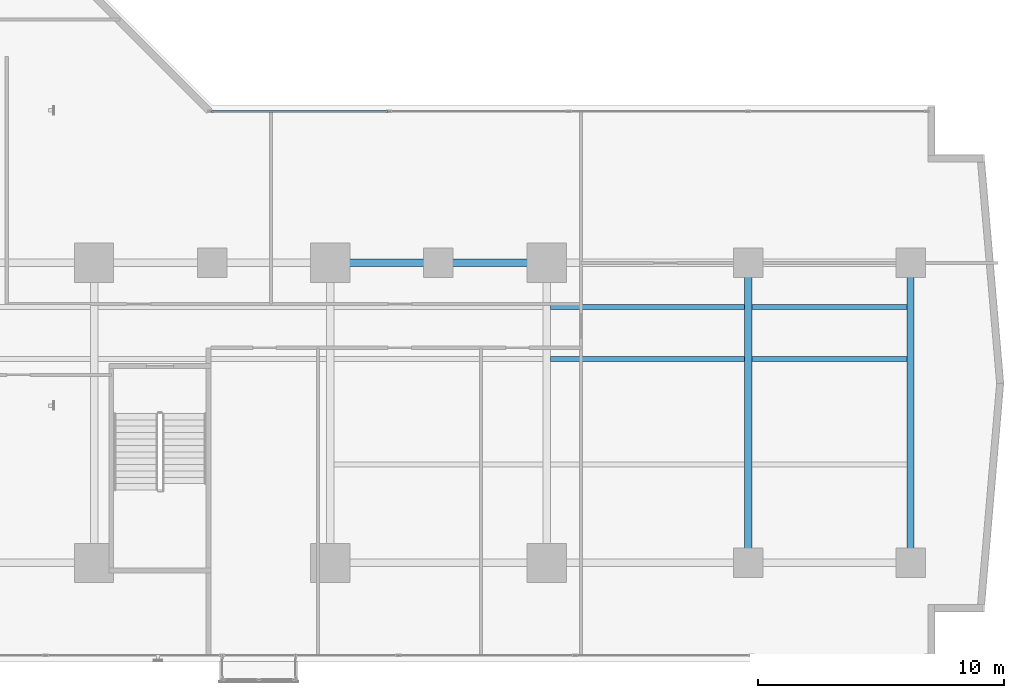
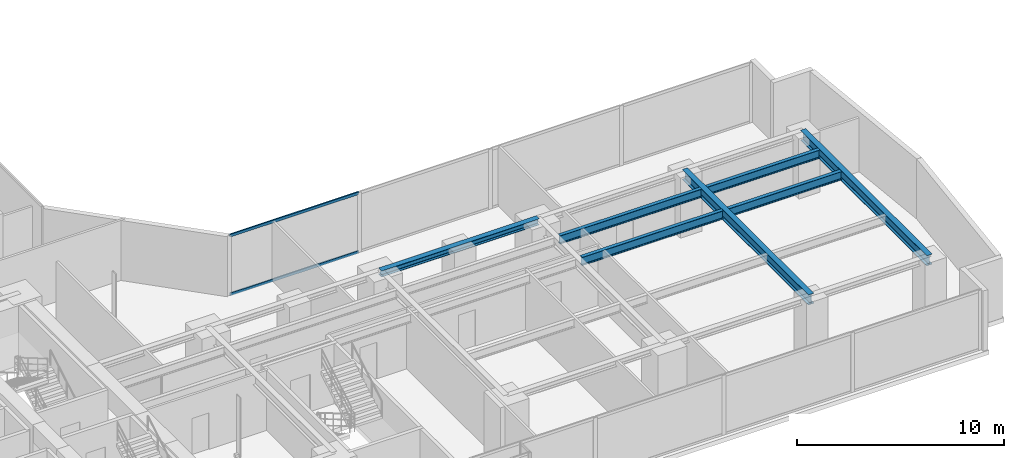
# One storey, part 12 of 31: 7 beams, 2 members, 1 element without a shape of its own.
"""IFC4 building model written with IfcOpenShell, lengths in metres."""

from ifc_helpers import new_model, si_unit, direction, frame, origin, origin_with_axes, origin_2d, place, context, subcontext, project, spatial, hollow_rectangle, i_section, extrude, source, transform, mapped, material, layer, layer_set, material_profile, profile_set, type_object, element, aggregate, save


model = new_model("IFC4")

# Units and contexts
model_context = context("Model", 3, precision=1e-05, world=origin(), true_north=direction((0.0, 1.0)))
body_context = subcontext(model_context, "Body", "Model", "MODEL_VIEW")
ifc_project = project(units=[si_unit("LENGTHUNIT", "METRE"), si_unit("AREAUNIT", "SQUARE_METRE"), si_unit("VOLUMEUNIT", "CUBIC_METRE"), si_unit("PLANEANGLEUNIT", "RADIAN"), si_unit("MASSUNIT", "GRAM", prefix="KILO")], contexts=[model_context])

# Site, building, storey
site_placement = place(None, origin())
site = spatial("IfcSite", under=ifc_project, at=site_placement, CompositionType="ELEMENT")
building_placement = place(site_placement, origin())
building = spatial("IfcBuilding", under=site, at=building_placement, Name="Kolvaren Waterfront Exchange", CompositionType="ELEMENT")
storey_placement = place(building_placement, frame((0.0, 0.0, 67.60009765625)))
storey = spatial("IfcBuildingStorey", under=building, at=storey_placement, Name="L17", CompositionType="ELEMENT", Elevation=67.60009765625)

# Beams
ifc_material_1 = material(Name="Steel S355", Category="steel")
ifc_material_profile_1 = material_profile(ifc_material_1, i_section(OverallWidth=0.300048828125, OverallDepth=0.360107421875, WebThickness=0.012451171875, FlangeThickness=0.0224609375, FilletRadius=0.027099609375, at=origin_2d()), Name="HEB360")
ifc_profile_set_1 = profile_set([ifc_material_profile_1], Name="Steel S355")
beam_type_1 = type_object("IfcBeamType", Name="STR-BM-HEB360", PredefinedType="SPANDREL", material=ifc_profile_set_1)
beam_placement = place(storey_placement, frame((36.800048828125, 17.39990234375, 3.35986328125), z_axis=(1.0, 0.0, 0.0), x_axis=(0.0, 1.0, 0.0)))
element("IfcBeam", 1, at=beam_placement, inside=storey, type_object=beam_type_1, Name="L17 east-arm spandrel N3", PredefinedType="SPANDREL", context=body_context, shape_type="SweptSolid", body=[
    extrude(i_section(OverallWidth=0.300048828125, OverallDepth=0.360107421875, WebThickness=0.012451171875, FlangeThickness=0.0224609375, FilletRadius=0.027099609375, at=origin_2d()), origin(), (0.0, 0.0, 1.0), 8.800048828125),
])
ifc_material_profile_2 = material_profile(ifc_material_1, i_section(OverallWidth=0.300048828125, OverallDepth=0.60009765625, WebThickness=0.015380859375, FlangeThickness=0.030029296875, FilletRadius=0.027099609375, at=origin_2d()), Name="HEB600")
ifc_profile_set_2 = profile_set([ifc_material_profile_2], Name="Steel S355")
beam_type_2 = type_object("IfcBeamType", Name="STR-BM-HEB600", PredefinedType="BEAM", material=ifc_profile_set_2)
for number, where, z_axis, x_axis, name in (
    (2, (53.800048828125, 5.199951171875, 3.239990234375), (0.0, 1.0, 0.0), (-1.0, 0.0, 0.0), "L17 east-arm transverse girder X53"),
    (3, (60.39990234375, 5.199951171875, 3.239990234375), (0.0, 1.0, 0.0), (-1.0, 0.0, 0.0), "L17 east-arm transverse girder X60"),
):
    element("IfcBeam", number, at=place(storey_placement, frame(where, z_axis=z_axis, x_axis=x_axis)), inside=storey, type_object=beam_type_2, Name=name, PredefinedType="BEAM", context=body_context, shape_type="SweptSolid", body=[
        extrude(i_section(OverallWidth=0.300048828125, OverallDepth=0.60009765625, WebThickness=0.015380859375, FlangeThickness=0.030029296875, FilletRadius=0.027099609375, at=origin_2d()), origin(), (0.0, 0.0, 1.0), 12.199951171875),
    ])
ifc_material_profile_3 = material_profile(ifc_material_1, i_section(OverallWidth=0.199951171875, OverallDepth=0.5, WebThickness=0.01025390625, FlangeThickness=0.01611328125, FilletRadius=0.02099609375, at=origin_2d()), Name="IPE500")
ifc_profile_set_3 = profile_set([ifc_material_profile_3], Name="Steel S355")
beam_type_3 = type_object("IfcBeamType", Name="STR-BM-IPE500", PredefinedType="JOIST", material=ifc_profile_set_3)
for number, where, z_axis, x_axis, name in (
    (4, (45.751953125, 13.5, 3.289794921875), (1.0, 0.0, 0.0), (0.0, 1.0, 0.0), "L17 east-arm composite joist 4A"),
    (5, (45.751953125, 15.60009765625, 3.289794921875), (1.0, 0.0, 0.0), (0.0, 1.0, 0.0), "L17 east-arm composite joist 4C"),
):
    element("IfcBeam", number, at=place(storey_placement, frame(where, z_axis=z_axis, x_axis=x_axis)), inside=storey, type_object=beam_type_3, Name=name, PredefinedType="JOIST", context=body_context, shape_type="SweptSolid", body=[
        extrude(i_section(OverallWidth=0.199951171875, OverallDepth=0.5, WebThickness=0.01025390625, FlangeThickness=0.01611328125, FilletRadius=0.02099609375, at=origin_2d()), origin(), (0.0, 0.0, 1.0), 7.89599609375),
    ])
for number, where, z_axis, x_axis, name in (
    (6, (53.951904296875, 13.5, 3.289794921875), (1.0, 0.0, 0.0), (0.0, 1.0, 0.0), "L17 east-arm composite joist 5A"),
    (7, (53.951904296875, 15.60009765625, 3.289794921875), (1.0, 0.0, 0.0), (0.0, 1.0, 0.0), "L17 east-arm composite joist 5C"),
):
    element("IfcBeam", number, at=place(storey_placement, frame(where, z_axis=z_axis, x_axis=x_axis)), inside=storey, type_object=beam_type_3, Name=name, PredefinedType="JOIST", context=body_context, shape_type="SweptSolid", body=[
        extrude(i_section(OverallWidth=0.199951171875, OverallDepth=0.5, WebThickness=0.01025390625, FlangeThickness=0.01611328125, FilletRadius=0.02099609375, at=origin_2d()), origin(), (0.0, 0.0, 1.0), 6.296142578125),
    ])

# Curtain wall, members
ifc_material_2 = material(Name="Anodised bronze aluminium 6063-T6", Category="aluminium")
ifc_layer = layer(ifc_material_2, 0.219970703125, Name="Anodised bronze aluminium 6063-T6")
ifc_layer_set = layer_set([ifc_layer], Name="Anodised bronze aluminium 6063-T6")
curtain_wall_type = type_object("IfcCurtainWallType", Name="ARC-CW-SYS1", PredefinedType="USERDEFINED", material=ifc_layer_set)
curtain_wall_placement = place(storey_placement, origin())
curtain_wall = element("IfcCurtainWall", 8, at=curtain_wall_placement, inside=storey, type_object=curtain_wall_type, Name="L17 stick curtain wall CW1 (CW-L17-EN)", ObjectType="STICK CURTAIN WALL", PredefinedType="USERDEFINED")
ifc_material_3 = material(Name="Anodised aluminium 6063-T6", Category="aluminium")
ifc_material_profile_4 = material_profile(ifc_material_3, hollow_rectangle(XDim=0.074951171875, YDim=0.159912109375, WallThickness=0.00439453125, at=origin_2d()), Name="ALU-TRN-160x75x4.5")
ifc_profile_set_4 = profile_set([ifc_material_profile_4], Name="Anodised aluminium 6063-T6")
member_type = type_object("IfcMemberType", Name="ARC-CWT-160", PredefinedType="USERDEFINED", material=ifc_profile_set_4)
shared_shape = source(origin_with_axes(), body_context, "Body", "SweptSolid", [
    extrude(hollow_rectangle(XDim=0.074951171875, YDim=0.159912109375, WallThickness=0.00439453125, at=origin_2d()), origin(), (0.0, 0.0, 1.0), 7.1826171875),
])
member_1_placement = place(storey_placement, frame((31.969970703125, 23.56005859375, 0.037353515625), z_axis=(1.0, 0.0, 0.0), x_axis=(0.0, 1.0, 0.0)))
member_1 = element("IfcMember", 9, at=member_1_placement, type_object=member_type, Name="CW1 transom 1.1", ObjectType="TRANSOM", PredefinedType="USERDEFINED", context=body_context, shape_type="MappedRepresentation", body=[
    mapped(shared_shape, transform((0.0, 0.0, 0.0), x_axis=(1.0, 0.0, 0.0), y_axis=(0.0, 1.0, 0.0), z_axis=(0.0, 0.0, 1.0), scale=1.0)),
])
member_2_placement = place(storey_placement, frame((31.969970703125, 23.56005859375, 3.50244140625), z_axis=(1.0, 0.0, 0.0), x_axis=(0.0, 1.0, 0.0)))
member_2 = element("IfcMember", 10, at=member_2_placement, type_object=member_type, Name="CW1 transom 1.2", ObjectType="TRANSOM", PredefinedType="USERDEFINED", context=body_context, shape_type="MappedRepresentation", body=[
    mapped(shared_shape, transform((0.0, 0.0, 0.0), x_axis=(1.0, 0.0, 0.0), y_axis=(0.0, 1.0, 0.0), z_axis=(0.0, 0.0, 1.0), scale=1.0)),
])
aggregate(curtain_wall, [member_1, member_2])

save(model, "model.ifc")
